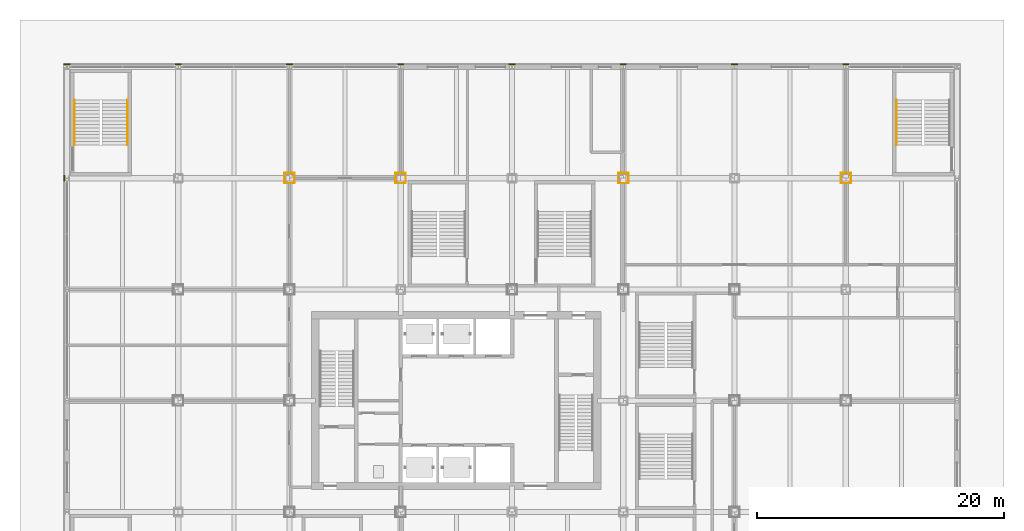
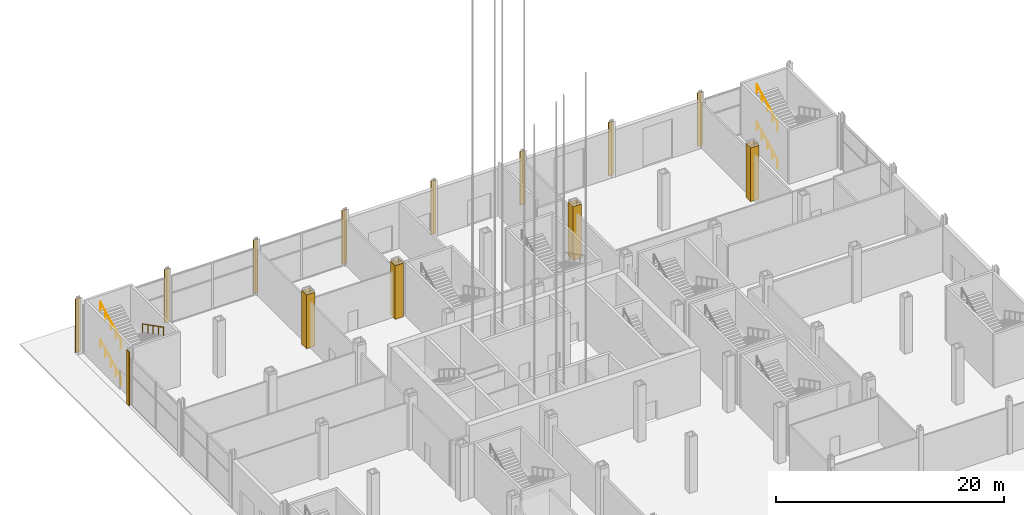
# One storey, part 31 of 34: 25 coverings, 5 railings.
"""IFC4 building model written with IfcOpenShell, lengths in metres."""

import ifcopenshell
import ifcopenshell.guid

model = None  # the IFC model being written
_history = None  # IfcOwnerHistory: only IFC2X3 demands one
_inside = {}  # id of a spatial element -> (the spatial element, [elements in it])
_under = {}  # id of a project, library or spatial element -> (it, [spatial elements below it])
_declared = {}  # id of a project -> (the project, [libraries it declares])
_typed = {}  # id of a type object -> (the type object, [elements of that type])
_made_of = {}  # id of a material, layer set ... -> (it, [elements and type objects made of it])


def new_model(schema):
    """Start an empty IFC model of exactly this schema.

    Asked for "IFC4X3", IfcOpenShell would pick the latest addendum, in which some entities
    have other attributes; the version numbers below select the first issue.
    IFC2X3 requires an IfcOwnerHistory on every rooted entity: one is made here for all.
    """
    global model, _history
    if schema == "IFC4X3":
        model = ifcopenshell.file(schema_version=(4, 3, 0, 0))
    else:
        model = ifcopenshell.file(schema=schema)
    _inside.clear()
    _under.clear()
    _declared.clear()
    _typed.clear()
    _made_of.clear()
    _history = None
    if model.schema == "IFC2X3":
        org = make("IfcOrganization", Name="unknown")
        user = make(
            "IfcPersonAndOrganization",
            ThePerson=make("IfcPerson", FamilyName="unknown"),
            TheOrganization=org,
        )
        app = make(
            "IfcApplication",
            ApplicationDeveloper=org,
            Version="unknown",
            ApplicationFullName="unknown",
            ApplicationIdentifier="unknown",
        )
        _history = make(
            "IfcOwnerHistory",
            OwningUser=user,
            OwningApplication=app,
            ChangeAction="ADDED",
            CreationDate=0,
        )
    return model


def make(cls, **values):
    """One entity of the class cls with the attributes given. An attribute that is None is left unset."""
    return model.create_entity(
        cls, **{name: value for name, value in values.items() if value is not None}
    )


def rooted(cls, **values):
    """An entity with a GlobalId (a new one), such as an element, a storey or a relation."""
    return make(cls, GlobalId=ifcopenshell.guid.new(), OwnerHistory=_history, **values)


def si_unit(unit_type, name, prefix=None):
    """IfcSIUnit, for example si_unit("LENGTHUNIT", "METRE", prefix="MILLI")."""
    return make("IfcSIUnit", UnitType=unit_type, Prefix=prefix, Name=name)


def assignment(units):
    """IfcUnitAssignment: the units of a project."""
    return None if units is None else make("IfcUnitAssignment", Units=units)


def point(xyz):
    """IfcCartesianPoint."""
    return None if xyz is None else make("IfcCartesianPoint", Coordinates=xyz)


def direction(xyz):
    """IfcDirection."""
    return None if xyz is None else make("IfcDirection", DirectionRatios=xyz)


def frame(location, z_axis=None, x_axis=None):
    """IfcAxis2Placement3D, a coordinate frame: its origin and axes. An axis left out is left unset."""
    return make(
        "IfcAxis2Placement3D",
        Location=point(location),
        Axis=direction(z_axis),
        RefDirection=direction(x_axis),
    )


def frame_2d(location, x_axis=None):
    """IfcAxis2Placement2D, a coordinate frame in the plane: its origin and x axis."""
    return make(
        "IfcAxis2Placement2D", Location=point(location), RefDirection=direction(x_axis)
    )


def origin():
    """The frame at (0, 0, 0) with its axes left unset."""
    return frame((0.0, 0.0, 0.0))


def origin_2d():
    """The frame at (0, 0) in the plane with its x axis left unset."""
    return frame_2d((0.0, 0.0))


def place(relative_to, where):
    """IfcLocalPlacement: puts the frame where relative to a parent placement (None: the world)."""
    return make(
        "IfcLocalPlacement", PlacementRelTo=relative_to, RelativePlacement=where
    )


def context(
    kind, dimensions, precision=None, world=None, true_north=None, identifier=None
):
    """IfcGeometricRepresentationContext, for example the 3D "Model" context."""
    return make(
        "IfcGeometricRepresentationContext",
        ContextIdentifier=identifier,
        ContextType=kind,
        CoordinateSpaceDimension=dimensions,
        Precision=precision,
        WorldCoordinateSystem=world,
        TrueNorth=true_north,
    )


def subcontext(parent, identifier, kind, view, scale=None):
    """IfcGeometricRepresentationSubContext, for example "Body" below "Model"."""
    return make(
        "IfcGeometricRepresentationSubContext",
        ContextIdentifier=identifier,
        ContextType=kind,
        ParentContext=parent,
        TargetScale=scale,
        TargetView=view,
    )


def project(units=None, contexts=None):
    """IfcProject with its units and contexts."""
    return rooted(
        "IfcProject",
        Name="project",
        RepresentationContexts=contexts,
        UnitsInContext=assignment(units),
    )


def spatial(cls, under=None, at=None, **own):
    """A site, building, storey or space (cls), placed at a placement, below another one or the project."""
    s = rooted(cls, ObjectPlacement=at, **own)
    if under is not None:
        _under.setdefault(under.id(), (under, []))[1].append(s)
    return s


def profile(cls, at=None, kind="AREA", **sizes):
    """A parametric profile (cls). Its sizes go by their IFC names, for example OverallWidth=200.0."""
    return make(cls, ProfileType=kind, Position=at, **sizes)


def rectangle(**sizes):
    """IfcRectangleProfileDef."""
    return profile("IfcRectangleProfileDef", **sizes)


def circle(**sizes):
    """IfcCircleProfileDef."""
    return profile("IfcCircleProfileDef", **sizes)


def extrude(swept, where, along, depth):
    """IfcExtrudedAreaSolid: the profile swept, set in the frame where, extruded along a direction by depth."""
    return make(
        "IfcExtrudedAreaSolid",
        SweptArea=swept,
        Position=where,
        ExtrudedDirection=direction(along),
        Depth=depth,
    )


def shape(context_of_items, identifier, shape_type, items):
    """IfcShapeRepresentation: the items that make up one representation, for example the "Body"."""
    return make(
        "IfcShapeRepresentation",
        ContextOfItems=context_of_items,
        RepresentationIdentifier=identifier,
        RepresentationType=shape_type,
        Items=items,
    )


def material(Name=None, Category=None):
    """IfcMaterial."""
    return make("IfcMaterial", Name=Name, Category=Category)


def layer(
    of_material, thickness, ventilated=None, Name=None, Category=None, Priority=None
):
    """IfcMaterialLayer: one layer of a wall or slab, of a material (None: an air gap)."""
    return make(
        "IfcMaterialLayer",
        Material=of_material,
        LayerThickness=thickness,
        IsVentilated=ventilated,
        Name=Name,
        Category=Category,
        Priority=Priority,
    )


def layer_set(layers, Name=None):
    """IfcMaterialLayerSet."""
    return make("IfcMaterialLayerSet", MaterialLayers=layers, LayerSetName=Name)


def made_of(thing, what):
    """Note that an element or type object is made of a material, layer set ...; save() writes the relation."""
    if what is not None:
        _made_of.setdefault(what.id(), (what, []))[1].append(thing)
    return thing


def type_object(cls, material=None, **own):
    """A type object (cls), such as IfcWallType, which elements share."""
    return made_of(rooted(cls, **own), material)


def element(
    cls,
    number,
    at=None,
    inside=None,
    cuts=None,
    type_object=None,
    material=None,
    context=None,
    identifier="Body",
    shape_type=None,
    held_by="IfcProductDefinitionShape",
    body=None,
    shapes=None,
    **own,
):
    """One element of the class cls, such as IfcWall. Its Tag is "e" and its number.

    at: its placement. inside: the storey or other place that contains it. cuts: it is an
    opening in that element (IfcRelVoidsElement). A single representation is given by context,
    identifier, shape_type and body (its items); several are given by shapes. held_by: the class
    of the entity that holds the representations. save() writes the other relations.
    """
    e = rooted(cls, Tag="e%d" % number, ObjectPlacement=at, **own)
    if body is not None:
        shapes = [shape(context, identifier, shape_type, body)]
    if shapes is not None:
        e.Representation = make(held_by, Representations=shapes)
    if inside is not None:
        _inside.setdefault(inside.id(), (inside, []))[1].append(e)
    if cuts is not None:
        rooted(
            "IfcRelVoidsElement", RelatingBuildingElement=cuts, RelatedOpeningElement=e
        )
    if type_object is not None:
        _typed.setdefault(type_object.id(), (type_object, []))[1].append(e)
    return made_of(e, material)


def aggregate(whole, parts):
    """IfcRelAggregates: a whole, such as a stair, and the parts it consists of."""
    return rooted("IfcRelAggregates", RelatingObject=whole, RelatedObjects=parts)


def save(model, path):
    """Write the relations noted so far, then the file.

    IfcRelAggregates (storeys below a building ...), IfcRelContainedInSpatialStructure (elements
    in a storey), IfcRelDefinesByType, IfcRelAssociatesMaterial and IfcRelDeclares: one each for
    every whole, place, type object, material and project.
    """
    for whole, parts in _under.values():
        aggregate(whole, parts)
    for where, things in _inside.values():
        rooted(
            "IfcRelContainedInSpatialStructure",
            RelatedElements=things,
            RelatingStructure=where,
        )
    for kind, things in _typed.values():
        rooted("IfcRelDefinesByType", RelatedObjects=things, RelatingType=kind)
    for what, things in _made_of.values():
        rooted("IfcRelAssociatesMaterial", RelatedObjects=things, RelatingMaterial=what)
    for by, libraries in _declared.values():
        rooted("IfcRelDeclares", RelatingContext=by, RelatedDefinitions=libraries)
    model.write(path)


model = new_model("IFC4")

# Units and contexts
model_context = context("Model", 3, precision=1e-05, world=origin(), true_north=direction((0.0, 1.0)))
body_context = subcontext(model_context, "Body", "Model", "MODEL_VIEW")
ifc_project = project(units=[si_unit("LENGTHUNIT", "METRE"), si_unit("AREAUNIT", "SQUARE_METRE"), si_unit("VOLUMEUNIT", "CUBIC_METRE"), si_unit("PLANEANGLEUNIT", "RADIAN"), si_unit("MASSUNIT", "GRAM", prefix="KILO")], contexts=[model_context])

# Site, building, storey
site_placement = place(None, origin())
site = spatial("IfcSite", under=ifc_project, at=site_placement, CompositionType="ELEMENT")
building_placement = place(site_placement, origin())
building = spatial("IfcBuilding", under=site, at=building_placement, Name="Loomwork Tower", CompositionType="ELEMENT")
storey_placement = place(building_placement, origin())
storey = spatial("IfcBuildingStorey", under=building, at=storey_placement, Name="L00", CompositionType="ELEMENT", Elevation=0.0)

# Coverings
ifc_material_1 = material(Name="Two-hour fire-rated gypsum board casing")
ifc_layer_1 = layer(ifc_material_1, 0.02490234375)
ifc_layer_set_1 = layer_set([ifc_layer_1], Name="Column fire casing 25")
covering_type_1 = type_object("IfcCoveringType", Name="Column fire casing 25", PredefinedType="CLADDING", material=ifc_layer_set_1)
for number, where, z_axis, x_axis, name in (
    (1, (9.0, 36.41259765625, 0.0), (0.0, 0.0, 1.0), (1.0, 0.0, 0.0), "Column casing 9 36 L00"),
    (2, (9.0, 35.58740234375, 0.0), (0.0, 0.0, 1.0), (1.0, 0.0, 0.0), "Column casing 9 36 L00"),
):
    element("IfcCovering", number, at=place(storey_placement, frame(where, z_axis=z_axis, x_axis=x_axis)), inside=storey, type_object=covering_type_1, Name=name, PredefinedType="CLADDING", context=body_context, shape_type="SweptSolid", body=[
        extrude(rectangle(XDim=0.85009765625, YDim=0.02490234375, at=origin_2d()), origin(), (0.0, 0.0, 1.0), 5.75),
    ])
for number, where, z_axis, x_axis, name in (
    (3, (9.41259765625, 36.0, 0.0), (0.0, 0.0, 1.0), (1.0, 0.0, 0.0), "Column casing 9 36 L00"),
    (4, (8.58740234375, 36.0, 0.0), (0.0, 0.0, 1.0), (1.0, 0.0, 0.0), "Column casing 9 36 L00"),
):
    element("IfcCovering", number, at=place(storey_placement, frame(where, z_axis=z_axis, x_axis=x_axis)), inside=storey, type_object=covering_type_1, Name=name, PredefinedType="CLADDING", context=body_context, shape_type="SweptSolid", body=[
        extrude(rectangle(XDim=0.02490234375, YDim=0.800048828125, at=origin_2d()), origin(), (0.0, 0.0, 1.0), 5.75),
    ])
for number, where, z_axis, x_axis, name in (
    (5, (18.0, 36.41259765625, 0.0), (0.0, 0.0, 1.0), (1.0, 0.0, 0.0), "Column casing 18 36 L00"),
    (6, (18.0, 35.58740234375, 0.0), (0.0, 0.0, 1.0), (1.0, 0.0, 0.0), "Column casing 18 36 L00"),
):
    element("IfcCovering", number, at=place(storey_placement, frame(where, z_axis=z_axis, x_axis=x_axis)), inside=storey, type_object=covering_type_1, Name=name, PredefinedType="CLADDING", context=body_context, shape_type="SweptSolid", body=[
        extrude(rectangle(XDim=0.85009765625, YDim=0.02490234375, at=origin_2d()), origin(), (0.0, 0.0, 1.0), 5.75),
    ])
for number, where, z_axis, x_axis, name in (
    (7, (18.41259765625, 36.0, 0.0), (0.0, 0.0, 1.0), (1.0, 0.0, 0.0), "Column casing 18 36 L00"),
    (8, (17.58740234375, 36.0, 0.0), (0.0, 0.0, 1.0), (1.0, 0.0, 0.0), "Column casing 18 36 L00"),
):
    element("IfcCovering", number, at=place(storey_placement, frame(where, z_axis=z_axis, x_axis=x_axis)), inside=storey, type_object=covering_type_1, Name=name, PredefinedType="CLADDING", context=body_context, shape_type="SweptSolid", body=[
        extrude(rectangle(XDim=0.02490234375, YDim=0.800048828125, at=origin_2d()), origin(), (0.0, 0.0, 1.0), 5.75),
    ])
for number, where, z_axis, x_axis, name in (
    (9, (36.0, 36.41259765625, 0.0), (0.0, 0.0, 1.0), (1.0, 0.0, 0.0), "Column casing 36 36 L00"),
    (10, (36.0, 35.58740234375, 0.0), (0.0, 0.0, 1.0), (1.0, 0.0, 0.0), "Column casing 36 36 L00"),
):
    element("IfcCovering", number, at=place(storey_placement, frame(where, z_axis=z_axis, x_axis=x_axis)), inside=storey, type_object=covering_type_1, Name=name, PredefinedType="CLADDING", context=body_context, shape_type="SweptSolid", body=[
        extrude(rectangle(XDim=0.85009765625, YDim=0.02490234375, at=origin_2d()), origin(), (0.0, 0.0, 1.0), 5.75),
    ])
for number, where, z_axis, x_axis, name in (
    (11, (36.41259765625, 36.0, 0.0), (0.0, 0.0, 1.0), (1.0, 0.0, 0.0), "Column casing 36 36 L00"),
    (12, (35.58740234375, 36.0, 0.0), (0.0, 0.0, 1.0), (1.0, 0.0, 0.0), "Column casing 36 36 L00"),
):
    element("IfcCovering", number, at=place(storey_placement, frame(where, z_axis=z_axis, x_axis=x_axis)), inside=storey, type_object=covering_type_1, Name=name, PredefinedType="CLADDING", context=body_context, shape_type="SweptSolid", body=[
        extrude(rectangle(XDim=0.02490234375, YDim=0.800048828125, at=origin_2d()), origin(), (0.0, 0.0, 1.0), 5.75),
    ])
for number, where, z_axis, x_axis, name in (
    (13, (54.0, 36.41259765625, 0.0), (0.0, 0.0, 1.0), (1.0, 0.0, 0.0), "Column casing 54 36 L00"),
    (14, (54.0, 35.58740234375, 0.0), (0.0, 0.0, 1.0), (1.0, 0.0, 0.0), "Column casing 54 36 L00"),
):
    element("IfcCovering", number, at=place(storey_placement, frame(where, z_axis=z_axis, x_axis=x_axis)), inside=storey, type_object=covering_type_1, Name=name, PredefinedType="CLADDING", context=body_context, shape_type="SweptSolid", body=[
        extrude(rectangle(XDim=0.85009765625, YDim=0.02490234375, at=origin_2d()), origin(), (0.0, 0.0, 1.0), 5.75),
    ])
for number, where, z_axis, x_axis, name in (
    (15, (54.41259765625, 36.0, 0.0), (0.0, 0.0, 1.0), (1.0, 0.0, 0.0), "Column casing 54 36 L00"),
    (16, (53.58740234375, 36.0, 0.0), (0.0, 0.0, 1.0), (1.0, 0.0, 0.0), "Column casing 54 36 L00"),
):
    element("IfcCovering", number, at=place(storey_placement, frame(where, z_axis=z_axis, x_axis=x_axis)), inside=storey, type_object=covering_type_1, Name=name, PredefinedType="CLADDING", context=body_context, shape_type="SweptSolid", body=[
        extrude(rectangle(XDim=0.02490234375, YDim=0.800048828125, at=origin_2d()), origin(), (0.0, 0.0, 1.0), 5.75),
    ])

# Railings
ifc_material_2 = material(Name="Stainless steel handrail", Category="steel")
railing_type = type_object("IfcRailingType", Name="Handrail 900", PredefinedType="HANDRAIL", material=ifc_material_2)
railing_1_placement = place(storey_placement, frame((-8.389892578125, 38.679931640625, 0.142822265625)))
element("IfcRailing", 17, at=railing_1_placement, inside=storey, type_object=railing_type, Name="Podium stair PS3 handrail flight 1 L00", PredefinedType="HANDRAIL", context=body_context, shape_type="SweptSolid", body=[
    extrude(circle(Radius=0.02392578125, at=origin_2d()), frame((0.0, 0.0, 0.8759765625), z_axis=(0.0, 0.890765324736, 0.45446356977), x_axis=(-1.0, 0.0, 0.0)), (0.0, 0.0, 1.0), 4.08642578125),
    extrude(circle(Radius=0.02099609375, at=origin_2d()), origin(), (0.0, 0.0, 1.0), 0.851806640625),
    extrude(circle(Radius=0.02099609375, at=origin_2d()), frame((0.0, 0.91015625, 0.46435546875)), (0.0, 0.0, 1.0), 0.851806640625),
    extrude(circle(Radius=0.02099609375, at=origin_2d()), frame((0.0, 1.820068359375, 0.9287109375)), (0.0, 0.0, 1.0), 0.851806640625),
    extrude(circle(Radius=0.02099609375, at=origin_2d()), frame((0.0, 2.72998046875, 1.392822265625)), (0.0, 0.0, 1.0), 0.851806640625),
    extrude(circle(Radius=0.02099609375, at=origin_2d()), frame((0.0, 3.64013671875, 1.857177734375)), (0.0, 0.0, 1.0), 0.851806640625),
])
railing_2_placement = place(storey_placement, frame((-4.110107421875, 42.320068359375, 2.142822265625)))
element("IfcRailing", 18, at=railing_2_placement, inside=storey, type_object=railing_type, Name="Podium stair PS3 handrail flight 2 L00", PredefinedType="HANDRAIL", context=body_context, shape_type="SweptSolid", body=[
    extrude(circle(Radius=0.02392578125, at=origin_2d()), frame((0.0, 0.0, 0.8759765625), z_axis=(0.0, -0.890765324736, 0.45446356977), x_axis=(1.0, 0.0, 0.0)), (0.0, 0.0, 1.0), 4.08642578125),
    extrude(circle(Radius=0.02099609375, at=origin_2d()), origin(), (0.0, 0.0, 1.0), 0.851806640625),
    extrude(circle(Radius=0.02099609375, at=origin_2d()), frame((0.0, -0.91015625, 0.46435546875)), (0.0, 0.0, 1.0), 0.851806640625),
    extrude(circle(Radius=0.02099609375, at=origin_2d()), frame((0.0, -1.820068359375, 0.9287109375)), (0.0, 0.0, 1.0), 0.851806640625),
    extrude(circle(Radius=0.02099609375, at=origin_2d()), frame((0.0, -2.72998046875, 1.392822265625)), (0.0, 0.0, 1.0), 0.851806640625),
    extrude(circle(Radius=0.02099609375, at=origin_2d()), frame((0.0, -3.64013671875, 1.857177734375)), (0.0, 0.0, 1.0), 0.851806640625),
])
for number, where, name in (
    (19, (-8.389892578125, 38.679931640625, 4.142822265625), "Podium stair PS3 handrail flight 3 L00"),
    (20, (58.110107421875, 38.679931640625, 0.142822265625), "Podium stair PS4 handrail flight 1 L00"),
    (21, (58.110107421875, 38.679931640625, 4.142822265625), "Podium stair PS4 handrail flight 3 L00"),
):
    element("IfcRailing", number, at=place(storey_placement, frame(where)), inside=storey, type_object=railing_type, Name=name, PredefinedType="HANDRAIL", context=body_context, shape_type="SweptSolid", body=[
        extrude(circle(Radius=0.02392578125, at=origin_2d()), frame((0.0, 0.0, 0.8759765625), z_axis=(0.0, 0.890765324736, 0.45446356977), x_axis=(-1.0, 0.0, 0.0)), (0.0, 0.0, 1.0), 4.08642578125),
        extrude(circle(Radius=0.02099609375, at=origin_2d()), origin(), (0.0, 0.0, 1.0), 0.851806640625),
        extrude(circle(Radius=0.02099609375, at=origin_2d()), frame((0.0, 0.91015625, 0.46435546875)), (0.0, 0.0, 1.0), 0.851806640625),
        extrude(circle(Radius=0.02099609375, at=origin_2d()), frame((0.0, 1.820068359375, 0.9287109375)), (0.0, 0.0, 1.0), 0.851806640625),
        extrude(circle(Radius=0.02099609375, at=origin_2d()), frame((0.0, 2.72998046875, 1.392822265625)), (0.0, 0.0, 1.0), 0.851806640625),
        extrude(circle(Radius=0.02099609375, at=origin_2d()), frame((0.0, 3.64013671875, 1.857177734375)), (0.0, 0.0, 1.0), 0.851806640625),
    ])

# Coverings
ifc_material_3 = material(Name="Limestone", Category="masonry")
ifc_layer_2 = layer(ifc_material_3, 0.080078125)
ifc_layer_set_2 = layer_set([ifc_layer_2], Name="Limestone pier facing 80")
covering_type_2 = type_object("IfcCoveringType", Name="Limestone pier facing 80", PredefinedType="CLADDING", material=ifc_layer_set_2)
covering_placement = place(storey_placement, frame((-9.239501953125, 36.0, 0.0), z_axis=(0.0, 0.0, 1.0), x_axis=(1.0, 0.0, 0.0)))
element("IfcCovering", 22, at=covering_placement, inside=storey, type_object=covering_type_2, Name="Pier facing H/1 L00", PredefinedType="CLADDING", context=body_context, shape_type="SweptSolid", body=[
    extrude(rectangle(XDim=0.080078125, YDim=0.501220703125, at=origin_2d()), origin(), (0.0, 0.0, 1.0), 5.75),
])
for number, where, z_axis, x_axis, name in (
    (23, (-9.0, 45.239501953125, 0.0), (0.0, 0.0, 1.0), (1.0, 0.0, 0.0), "Pier facing J/1 L00"),
    (24, (0.0, 45.239501953125, 0.0), (0.0, 0.0, 1.0), (1.0, 0.0, 0.0), "Pier facing J/2 L00"),
    (25, (9.0, 45.239501953125, 0.0), (0.0, 0.0, 1.0), (1.0, 0.0, 0.0), "Pier facing J/3 L00"),
    (26, (18.0, 45.239501953125, 0.0), (0.0, 0.0, 1.0), (1.0, 0.0, 0.0), "Pier facing J/4 L00"),
    (27, (27.0, 45.239501953125, 0.0), (0.0, 0.0, 1.0), (1.0, 0.0, 0.0), "Pier facing J/5 L00"),
    (28, (36.0, 45.239501953125, 0.0), (0.0, 0.0, 1.0), (1.0, 0.0, 0.0), "Pier facing J/6 L00"),
    (29, (45.0, 45.239501953125, 0.0), (0.0, 0.0, 1.0), (1.0, 0.0, 0.0), "Pier facing J/7 L00"),
    (30, (54.0, 45.239501953125, 0.0), (0.0, 0.0, 1.0), (1.0, 0.0, 0.0), "Pier facing J/8 L00"),
):
    element("IfcCovering", number, at=place(storey_placement, frame(where, z_axis=z_axis, x_axis=x_axis)), inside=storey, type_object=covering_type_2, Name=name, PredefinedType="CLADDING", context=body_context, shape_type="SweptSolid", body=[
        extrude(rectangle(XDim=0.501220703125, YDim=0.080078125, at=origin_2d()), origin(), (0.0, 0.0, 1.0), 5.75),
    ])

save(model, "model.ifc")
